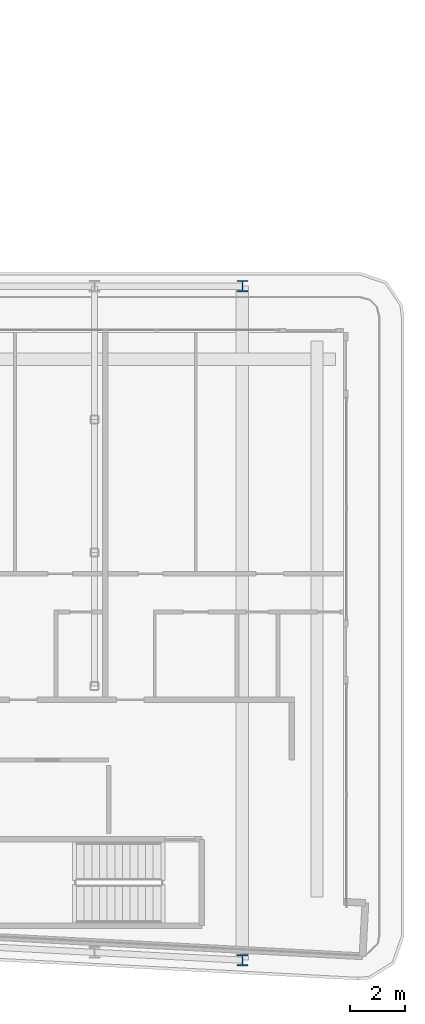
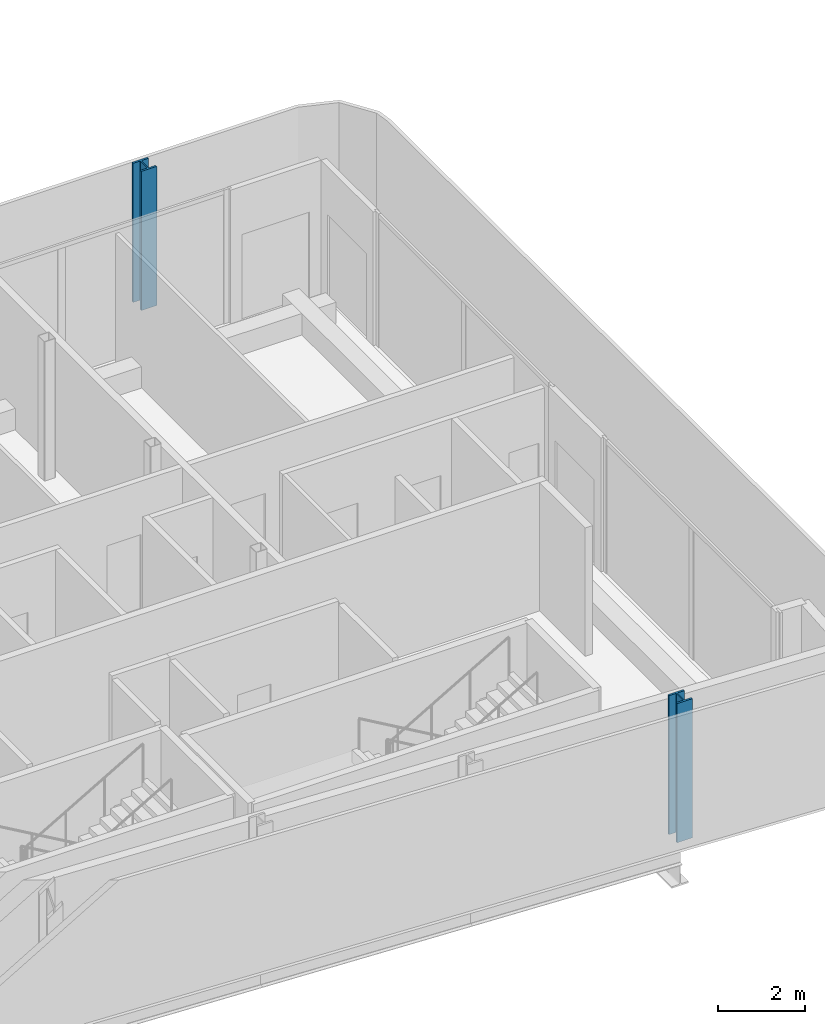
# One storey, part 4 of 29: 2 columns.
"""IFC4 building model written with IfcOpenShell, lengths in metres."""

import ifcopenshell
import ifcopenshell.guid

model = None  # the IFC model being written
_history = None  # IfcOwnerHistory: only IFC2X3 demands one
_inside = {}  # id of a spatial element -> (the spatial element, [elements in it])
_under = {}  # id of a project, library or spatial element -> (it, [spatial elements below it])
_declared = {}  # id of a project -> (the project, [libraries it declares])
_typed = {}  # id of a type object -> (the type object, [elements of that type])
_made_of = {}  # id of a material, layer set ... -> (it, [elements and type objects made of it])


def new_model(schema):
    """Start an empty IFC model of exactly this schema.

    Asked for "IFC4X3", IfcOpenShell would pick the latest addendum, in which some entities
    have other attributes; the version numbers below select the first issue.
    IFC2X3 requires an IfcOwnerHistory on every rooted entity: one is made here for all.
    """
    global model, _history
    if schema == "IFC4X3":
        model = ifcopenshell.file(schema_version=(4, 3, 0, 0))
    else:
        model = ifcopenshell.file(schema=schema)
    _inside.clear()
    _under.clear()
    _declared.clear()
    _typed.clear()
    _made_of.clear()
    _history = None
    if model.schema == "IFC2X3":
        org = make("IfcOrganization", Name="unknown")
        user = make(
            "IfcPersonAndOrganization",
            ThePerson=make("IfcPerson", FamilyName="unknown"),
            TheOrganization=org,
        )
        app = make(
            "IfcApplication",
            ApplicationDeveloper=org,
            Version="unknown",
            ApplicationFullName="unknown",
            ApplicationIdentifier="unknown",
        )
        _history = make(
            "IfcOwnerHistory",
            OwningUser=user,
            OwningApplication=app,
            ChangeAction="ADDED",
            CreationDate=0,
        )
    return model


def make(cls, **values):
    """One entity of the class cls with the attributes given. An attribute that is None is left unset."""
    return model.create_entity(
        cls, **{name: value for name, value in values.items() if value is not None}
    )


def rooted(cls, **values):
    """An entity with a GlobalId (a new one), such as an element, a storey or a relation."""
    return make(cls, GlobalId=ifcopenshell.guid.new(), OwnerHistory=_history, **values)


def si_unit(unit_type, name, prefix=None):
    """IfcSIUnit, for example si_unit("LENGTHUNIT", "METRE", prefix="MILLI")."""
    return make("IfcSIUnit", UnitType=unit_type, Prefix=prefix, Name=name)


def assignment(units):
    """IfcUnitAssignment: the units of a project."""
    return None if units is None else make("IfcUnitAssignment", Units=units)


def point(xyz):
    """IfcCartesianPoint."""
    return None if xyz is None else make("IfcCartesianPoint", Coordinates=xyz)


def direction(xyz):
    """IfcDirection."""
    return None if xyz is None else make("IfcDirection", DirectionRatios=xyz)


def frame(location, z_axis=None, x_axis=None):
    """IfcAxis2Placement3D, a coordinate frame: its origin and axes. An axis left out is left unset."""
    return make(
        "IfcAxis2Placement3D",
        Location=point(location),
        Axis=direction(z_axis),
        RefDirection=direction(x_axis),
    )


def frame_2d(location, x_axis=None):
    """IfcAxis2Placement2D, a coordinate frame in the plane: its origin and x axis."""
    return make(
        "IfcAxis2Placement2D", Location=point(location), RefDirection=direction(x_axis)
    )


def origin():
    """The frame at (0, 0, 0) with its axes left unset."""
    return frame((0.0, 0.0, 0.0))


def origin_2d():
    """The frame at (0, 0) in the plane with its x axis left unset."""
    return frame_2d((0.0, 0.0))


def place(relative_to, where):
    """IfcLocalPlacement: puts the frame where relative to a parent placement (None: the world)."""
    return make(
        "IfcLocalPlacement", PlacementRelTo=relative_to, RelativePlacement=where
    )


def context(
    kind, dimensions, precision=None, world=None, true_north=None, identifier=None
):
    """IfcGeometricRepresentationContext, for example the 3D "Model" context."""
    return make(
        "IfcGeometricRepresentationContext",
        ContextIdentifier=identifier,
        ContextType=kind,
        CoordinateSpaceDimension=dimensions,
        Precision=precision,
        WorldCoordinateSystem=world,
        TrueNorth=true_north,
    )


def subcontext(parent, identifier, kind, view, scale=None):
    """IfcGeometricRepresentationSubContext, for example "Body" below "Model"."""
    return make(
        "IfcGeometricRepresentationSubContext",
        ContextIdentifier=identifier,
        ContextType=kind,
        ParentContext=parent,
        TargetScale=scale,
        TargetView=view,
    )


def project(units=None, contexts=None):
    """IfcProject with its units and contexts."""
    return rooted(
        "IfcProject",
        Name="project",
        RepresentationContexts=contexts,
        UnitsInContext=assignment(units),
    )


def spatial(cls, under=None, at=None, **own):
    """A site, building, storey or space (cls), placed at a placement, below another one or the project."""
    s = rooted(cls, ObjectPlacement=at, **own)
    if under is not None:
        _under.setdefault(under.id(), (under, []))[1].append(s)
    return s


def profile(cls, at=None, kind="AREA", **sizes):
    """A parametric profile (cls). Its sizes go by their IFC names, for example OverallWidth=200.0."""
    return make(cls, ProfileType=kind, Position=at, **sizes)


def i_section(**sizes):
    """IfcIShapeProfileDef."""
    return profile("IfcIShapeProfileDef", **sizes)


def extrude(swept, where, along, depth):
    """IfcExtrudedAreaSolid: the profile swept, set in the frame where, extruded along a direction by depth."""
    return make(
        "IfcExtrudedAreaSolid",
        SweptArea=swept,
        Position=where,
        ExtrudedDirection=direction(along),
        Depth=depth,
    )


def shape(context_of_items, identifier, shape_type, items):
    """IfcShapeRepresentation: the items that make up one representation, for example the "Body"."""
    return make(
        "IfcShapeRepresentation",
        ContextOfItems=context_of_items,
        RepresentationIdentifier=identifier,
        RepresentationType=shape_type,
        Items=items,
    )


def material(Name=None, Category=None):
    """IfcMaterial."""
    return make("IfcMaterial", Name=Name, Category=Category)


def material_profile(
    of_material, cross_section, Name=None, Category=None, Priority=None
):
    """IfcMaterialProfile: a cross section and its material."""
    return make(
        "IfcMaterialProfile",
        Name=Name,
        Material=of_material,
        Profile=cross_section,
        Priority=Priority,
        Category=Category,
    )


def profile_set(profiles, Name=None, composite=None):
    """IfcMaterialProfileSet."""
    return make(
        "IfcMaterialProfileSet",
        Name=Name,
        MaterialProfiles=profiles,
        CompositeProfile=composite,
    )


def made_of(thing, what):
    """Note that an element or type object is made of a material, layer set ...; save() writes the relation."""
    if what is not None:
        _made_of.setdefault(what.id(), (what, []))[1].append(thing)
    return thing


def type_object(cls, material=None, **own):
    """A type object (cls), such as IfcWallType, which elements share."""
    return made_of(rooted(cls, **own), material)


def element(
    cls,
    number,
    at=None,
    inside=None,
    cuts=None,
    type_object=None,
    material=None,
    context=None,
    identifier="Body",
    shape_type=None,
    held_by="IfcProductDefinitionShape",
    body=None,
    shapes=None,
    **own,
):
    """One element of the class cls, such as IfcWall. Its Tag is "e" and its number.

    at: its placement. inside: the storey or other place that contains it. cuts: it is an
    opening in that element (IfcRelVoidsElement). A single representation is given by context,
    identifier, shape_type and body (its items); several are given by shapes. held_by: the class
    of the entity that holds the representations. save() writes the other relations.
    """
    e = rooted(cls, Tag="e%d" % number, ObjectPlacement=at, **own)
    if body is not None:
        shapes = [shape(context, identifier, shape_type, body)]
    if shapes is not None:
        e.Representation = make(held_by, Representations=shapes)
    if inside is not None:
        _inside.setdefault(inside.id(), (inside, []))[1].append(e)
    if cuts is not None:
        rooted(
            "IfcRelVoidsElement", RelatingBuildingElement=cuts, RelatedOpeningElement=e
        )
    if type_object is not None:
        _typed.setdefault(type_object.id(), (type_object, []))[1].append(e)
    return made_of(e, material)


def aggregate(whole, parts):
    """IfcRelAggregates: a whole, such as a stair, and the parts it consists of."""
    return rooted("IfcRelAggregates", RelatingObject=whole, RelatedObjects=parts)


def save(model, path):
    """Write the relations noted so far, then the file.

    IfcRelAggregates (storeys below a building ...), IfcRelContainedInSpatialStructure (elements
    in a storey), IfcRelDefinesByType, IfcRelAssociatesMaterial and IfcRelDeclares: one each for
    every whole, place, type object, material and project.
    """
    for whole, parts in _under.values():
        aggregate(whole, parts)
    for where, things in _inside.values():
        rooted(
            "IfcRelContainedInSpatialStructure",
            RelatedElements=things,
            RelatingStructure=where,
        )
    for kind, things in _typed.values():
        rooted("IfcRelDefinesByType", RelatedObjects=things, RelatingType=kind)
    for what, things in _made_of.values():
        rooted("IfcRelAssociatesMaterial", RelatedObjects=things, RelatingMaterial=what)
    for by, libraries in _declared.values():
        rooted("IfcRelDeclares", RelatingContext=by, RelatedDefinitions=libraries)
    model.write(path)


model = new_model("IFC4")

# Units and contexts
model_context = context("Model", 3, precision=1e-05, world=origin(), true_north=direction((0.0, 1.0)))
body_context = subcontext(model_context, "Body", "Model", "MODEL_VIEW")
ifc_project = project(units=[si_unit("LENGTHUNIT", "METRE"), si_unit("AREAUNIT", "SQUARE_METRE"), si_unit("VOLUMEUNIT", "CUBIC_METRE"), si_unit("PLANEANGLEUNIT", "RADIAN"), si_unit("MASSUNIT", "GRAM", prefix="KILO")], contexts=[model_context])

# Site, building, storey
site_placement = place(None, origin())
site = spatial("IfcSite", under=ifc_project, at=site_placement, CompositionType="ELEMENT")
building_placement = place(site_placement, origin())
building = spatial("IfcBuilding", under=site, at=building_placement, Name="Kheshtan School and Residences Tower", CompositionType="ELEMENT")
storey_placement = place(building_placement, frame((0.0, 0.0, 172.10009765625)))
storey = spatial("IfcBuildingStorey", under=building, at=storey_placement, Name="L40", CompositionType="ELEMENT", Elevation=172.10009765625)

# Columns
ifc_material = material(Name="Steel ASTM A992 Grade 50", Category="steel")
ifc_material_profile = material_profile(ifc_material, i_section(OverallWidth=0.408935546875, OverallDepth=0.425048828125, WebThickness=0.03271484375, FlangeThickness=0.052490234375, FilletRadius=0.0126953125, at=origin_2d()), Name="W360x421")
ifc_profile_set = profile_set([ifc_material_profile], Name="Steel ASTM A992 Grade 50")
column_type = type_object("IfcColumnType", Name="Column C3 W360x421 ASTM A992 Grade 50", PredefinedType="COLUMN", material=ifc_profile_set)
for number, where, z_axis, x_axis, name in (
    (1, (90.800048828125, 20.989990234375, 0.0), (0.0, 0.0, 1.0), (1.0, 0.0, 0.0), "Column C006"),
    (2, (90.800048828125, 45.60009765625, 0.0), (0.0, 0.0, 1.0), (1.0, 0.0, 0.0), "Column C068"),
):
    element("IfcColumn", number, at=place(storey_placement, frame(where, z_axis=z_axis, x_axis=x_axis)), inside=storey, type_object=column_type, Name=name, PredefinedType="COLUMN", context=body_context, shape_type="SweptSolid", body=[
        extrude(i_section(OverallWidth=0.408935546875, OverallDepth=0.425048828125, WebThickness=0.03271484375, FlangeThickness=0.052490234375, FilletRadius=0.0126953125, at=origin_2d()), origin(), (0.0, 0.0, 1.0), 3.89990234375),
    ])

save(model, "model.ifc")
